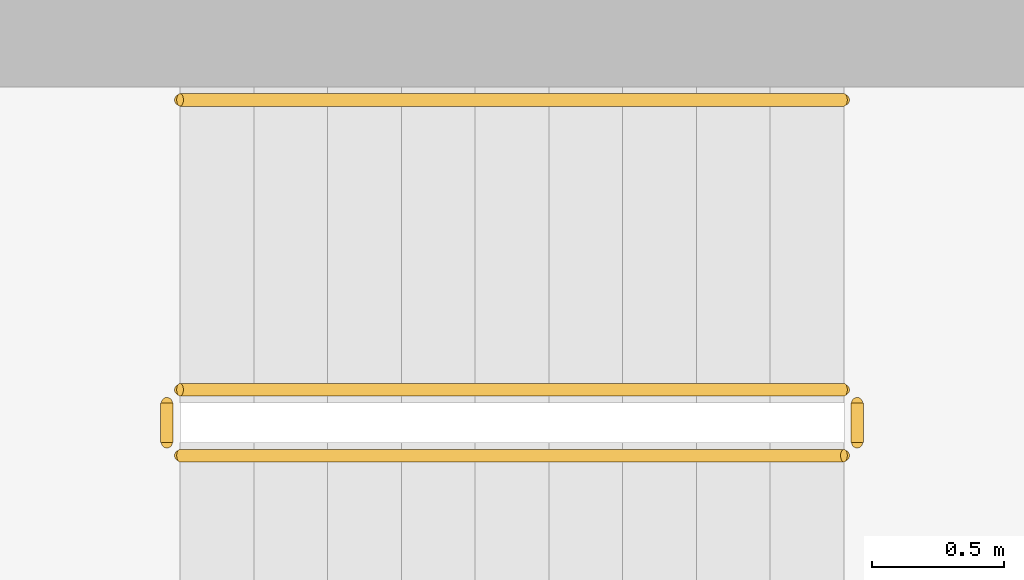
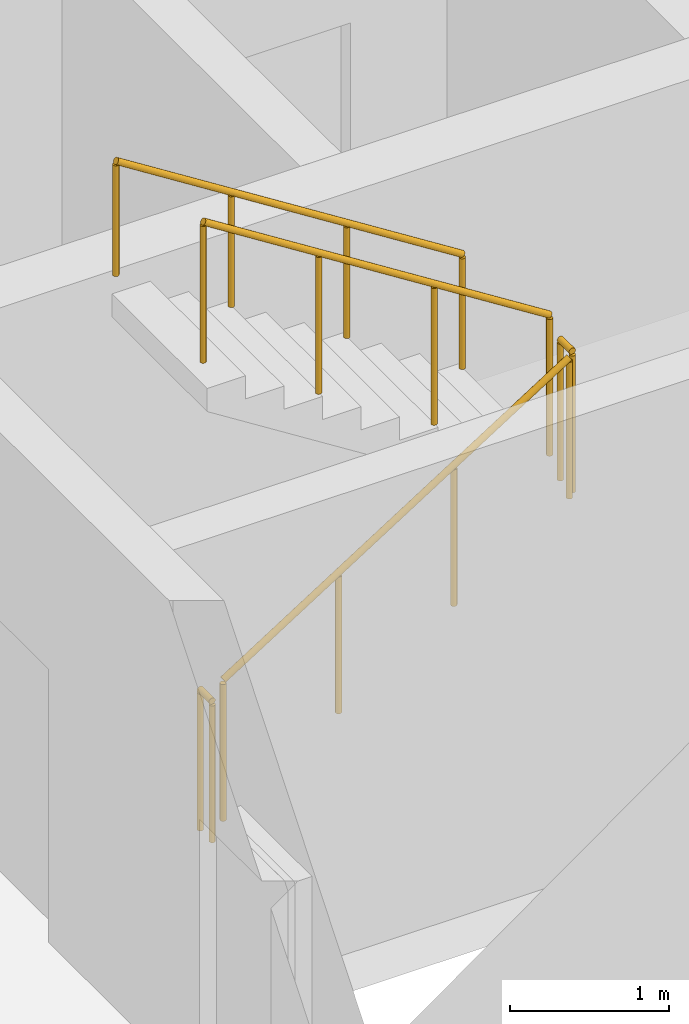
# One storey, part 15 of 17: 5 railings.
"""IFC4 building model written with IfcOpenShell, lengths in metres."""

from ifc_helpers import new_model, si_unit, direction, frame, origin, origin_2d, place, context, subcontext, project, spatial, circle, extrude, material, type_object, element, save


model = new_model("IFC4")

# Units and contexts
model_context = context("Model", 3, precision=1e-05, world=origin(), true_north=direction((0.0, 1.0)))
body_context = subcontext(model_context, "Body", "Model", "MODEL_VIEW")
ifc_project = project(units=[si_unit("LENGTHUNIT", "METRE"), si_unit("AREAUNIT", "SQUARE_METRE"), si_unit("VOLUMEUNIT", "CUBIC_METRE"), si_unit("PLANEANGLEUNIT", "RADIAN"), si_unit("MASSUNIT", "GRAM", prefix="KILO")], contexts=[model_context])

# Site, building, storey
site_placement = place(None, origin())
site = spatial("IfcSite", under=ifc_project, at=site_placement, CompositionType="ELEMENT")
building_placement = place(site_placement, origin())
building = spatial("IfcBuilding", under=site, at=building_placement, Name="Ostrand Prow Hotel Tower", CompositionType="ELEMENT")
storey_placement = place(building_placement, frame((0.0, 0.0, 193.25)))
storey = spatial("IfcBuildingStorey", under=building, at=storey_placement, Name="L48", CompositionType="ELEMENT", Elevation=193.25)

# Railings
ifc_material_1 = material(Name="Painted steel", Category="steel")
railing_type_1 = type_object("IfcRailingType", Name="Stair guard 1100", PredefinedType="GUARDRAIL", material=ifc_material_1)
railing_1_placement = place(storey_placement, frame((57.199951171875, -11.75, 0.177490234375)))
element("IfcRailing", 1, at=railing_1_placement, inside=storey, type_object=railing_type_1, Name="L48 ST2C stair guard 1", PredefinedType="GUARDRAIL", context=body_context, shape_type="SweptSolid", body=[
    extrude(circle(Radius=0.02392578125, at=origin_2d()), frame((0.0, 0.0, 1.076171875), z_axis=(0.84460694969, 0.0, 0.535386869969), x_axis=(0.0, 1.0, 0.0)), (0.0, 0.0, 1.0), 2.983642578125),
    extrude(circle(Radius=0.02099609375, at=origin_2d()), origin(), (0.0, 0.0, 1.0), 1.052001953125),
    extrude(circle(Radius=0.02099609375, at=origin_2d()), frame((0.840087890625, 0.0, 0.532470703125)), (0.0, 0.0, 1.0), 1.052001953125),
    extrude(circle(Radius=0.02099609375, at=origin_2d()), frame((1.679931640625, 0.0, 1.06494140625)), (0.0, 0.0, 1.0), 1.052001953125),
    extrude(circle(Radius=0.02099609375, at=origin_2d()), frame((2.52001953125, 0.0, 1.597412109375)), (0.0, 0.0, 1.0), 1.052001953125),
])
railing_2_placement = place(storey_placement, frame((59.77001953125, -11.699951171875, 1.77490234375)))
element("IfcRailing", 2, at=railing_2_placement, inside=storey, type_object=railing_type_1, Name="L48 ST2C stair guard 2", PredefinedType="GUARDRAIL", context=body_context, shape_type="SweptSolid", body=[
    extrude(circle(Radius=0.02392578125, at=origin_2d()), frame((0.0, 0.0, 1.076171875), z_axis=(0.0, 1.0, 0.0), x_axis=(-1.0, 0.0, 0.0)), (0.0, 0.0, 1.0), 0.14990234375),
    extrude(circle(Radius=0.02099609375, at=origin_2d()), origin(), (0.0, 0.0, 1.0), 1.052001953125),
    extrude(circle(Radius=0.02099609375, at=origin_2d()), frame((0.0, 0.14990234375, 0.0)), (0.0, 0.0, 1.0), 1.052001953125),
])
railing_3_placement = place(storey_placement, frame((59.719970703125, -11.5, 1.952392578125)))
element("IfcRailing", 3, at=railing_3_placement, inside=storey, type_object=railing_type_1, Name="L48 ST2C stair guard 3", PredefinedType="GUARDRAIL", context=body_context, shape_type="SweptSolid", body=[
    extrude(circle(Radius=0.02392578125, at=origin_2d()), frame((0.0, 0.0, 1.076171875), z_axis=(-0.84456994832, 0.0, 0.535445237532), x_axis=(0.0, -1.0, 0.0)), (0.0, 0.0, 1.0), 2.98388671875),
    extrude(circle(Radius=0.02099609375, at=origin_2d()), origin(), (0.0, 0.0, 1.0), 1.052001953125),
    extrude(circle(Radius=0.02099609375, at=origin_2d()), frame((-0.840087890625, 0.0, 0.532470703125)), (0.0, 0.0, 1.0), 1.052001953125),
    extrude(circle(Radius=0.02099609375, at=origin_2d()), frame((-1.679931640625, 0.0, 1.065185546875)), (0.0, 0.0, 1.0), 1.052001953125),
    extrude(circle(Radius=0.02099609375, at=origin_2d()), frame((-2.52001953125, 0.0, 1.59765625)), (0.0, 0.0, 1.0), 1.052001953125),
])
railing_4_placement = place(storey_placement, frame((57.14990234375, -11.699951171875, 0.0)))
element("IfcRailing", 4, at=railing_4_placement, inside=storey, type_object=railing_type_1, Name="L48 ST2C stair guard 4", PredefinedType="GUARDRAIL", context=body_context, shape_type="SweptSolid", body=[
    extrude(circle(Radius=0.02392578125, at=origin_2d()), frame((0.0, 0.0, 1.076171875), z_axis=(0.0, 1.0, 0.0), x_axis=(-1.0, 0.0, 0.0)), (0.0, 0.0, 1.0), 0.14990234375),
    extrude(circle(Radius=0.02099609375, at=origin_2d()), origin(), (0.0, 0.0, 1.0), 1.052001953125),
    extrude(circle(Radius=0.02099609375, at=origin_2d()), frame((0.0, 0.14990234375, 0.0)), (0.0, 0.0, 1.0), 1.052001953125),
])
ifc_material_2 = material(Name="Stainless steel", Category="steel")
railing_type_2 = type_object("IfcRailingType", Name="Stair handrail 900", PredefinedType="HANDRAIL", material=ifc_material_2)
railing_5_placement = place(storey_placement, frame((59.719970703125, -10.39990234375, 1.952392578125)))
element("IfcRailing", 5, at=railing_5_placement, inside=storey, type_object=railing_type_2, Name="L48 ST2C stair handrail 2", PredefinedType="HANDRAIL", context=body_context, shape_type="SweptSolid", body=[
    extrude(circle(Radius=0.02392578125, at=origin_2d()), frame((0.0, 0.0, 0.8759765625), z_axis=(-0.84456994832, 0.0, 0.535445237532), x_axis=(0.0, -1.0, 0.0)), (0.0, 0.0, 1.0), 2.98388671875),
    extrude(circle(Radius=0.02099609375, at=origin_2d()), origin(), (0.0, 0.0, 1.0), 0.851806640625),
    extrude(circle(Radius=0.02099609375, at=origin_2d()), frame((-0.840087890625, 0.0, 0.532470703125)), (0.0, 0.0, 1.0), 0.851806640625),
    extrude(circle(Radius=0.02099609375, at=origin_2d()), frame((-1.679931640625, 0.0, 1.065185546875)), (0.0, 0.0, 1.0), 0.851806640625),
    extrude(circle(Radius=0.02099609375, at=origin_2d()), frame((-2.52001953125, 0.0, 1.59765625)), (0.0, 0.0, 1.0), 0.851806640625),
])

save(model, "model.ifc")
